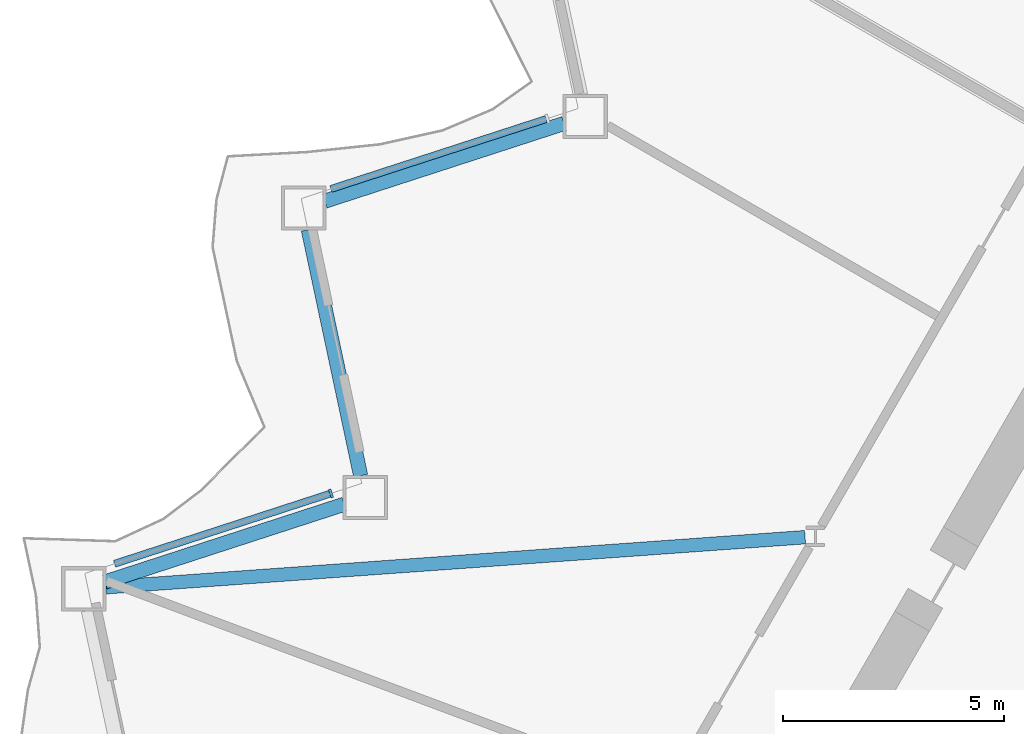
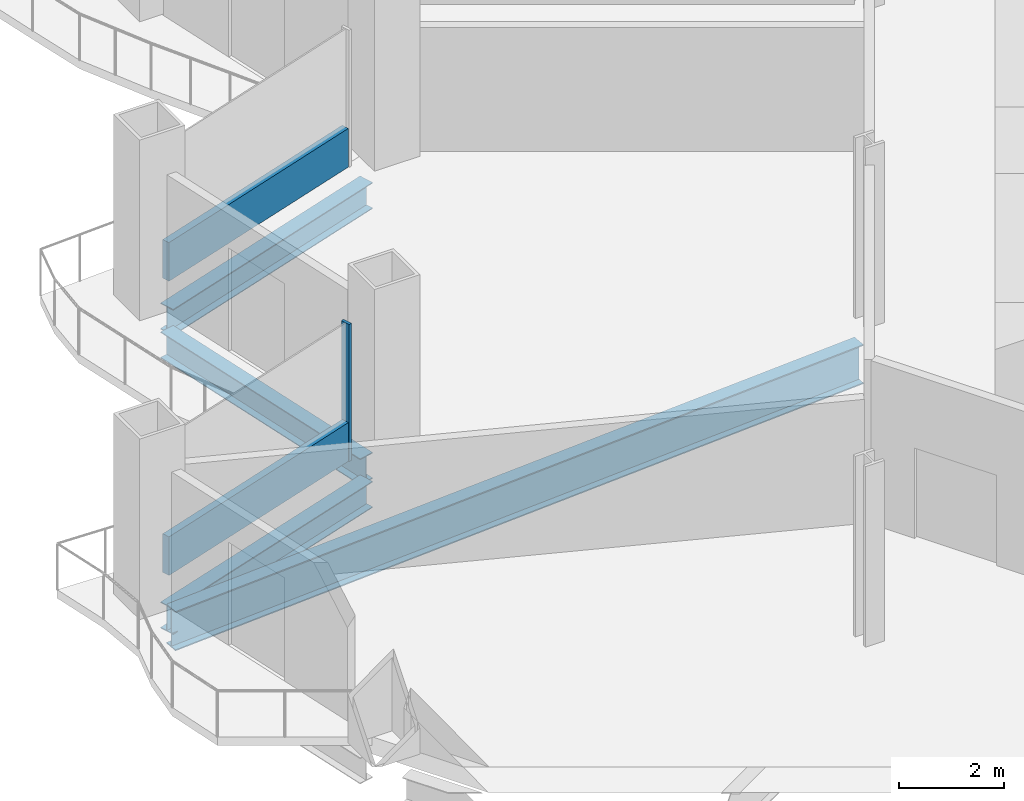
# One storey, part 3 of 20: 4 beams, 3 members, 2 elements without a shape of their own.
"""IFC4 building model written with IfcOpenShell, lengths in metres."""

from ifc_helpers import new_model, si_unit, direction, frame, origin, origin_2d, place, context, subcontext, project, spatial, rectangle, i_section, extrude, material, layer, layer_set, material_profile, profile_set, type_object, element, aggregate, save


model = new_model("IFC4")

# Units and contexts
model_context = context("Model", 3, precision=1e-05, world=origin(), true_north=direction((0.0, 1.0)))
body_context = subcontext(model_context, "Body", "Model", "MODEL_VIEW")
ifc_project = project(units=[si_unit("LENGTHUNIT", "METRE"), si_unit("AREAUNIT", "SQUARE_METRE"), si_unit("VOLUMEUNIT", "CUBIC_METRE"), si_unit("PLANEANGLEUNIT", "RADIAN"), si_unit("MASSUNIT", "GRAM", prefix="KILO")], contexts=[model_context])

# Site, building, storey
site_placement = place(None, origin())
site = spatial("IfcSite", under=ifc_project, at=site_placement, CompositionType="ELEMENT")
building_placement = place(site_placement, origin())
building = spatial("IfcBuilding", under=site, at=building_placement, Name="Cormorant Prow Tower", CompositionType="ELEMENT")
storey_placement = place(building_placement, frame((0.0, 0.0, 59.39990234375)))
storey = spatial("IfcBuildingStorey", under=building, at=storey_placement, Name="L12", CompositionType="ELEMENT", Elevation=59.39990234375)

# Curtain wall, member
ifc_material_1 = material(Name="Aluminium 6063-T6", Category="aluminium")
ifc_layer = layer(ifc_material_1, 0.199951171875)
ifc_layer_set = layer_set([ifc_layer], Name="Aluminium 6063-T6")
curtain_wall_type = type_object("IfcCurtainWallType", Name="Office unitised curtain wall 200", PredefinedType="NOTDEFINED", material=ifc_layer_set)
curtain_wall_1_placement = place(storey_placement, origin())
curtain_wall_1 = element("IfcCurtainWall", 1, at=curtain_wall_1_placement, inside=storey, type_object=curtain_wall_type, Name="Office curtain wall WNW08", PredefinedType="NOTDEFINED")
ifc_material_2 = material(Name="Aluminium 6063-T6", Category="aluminium")
ifc_material_profile_1 = material_profile(ifc_material_2, rectangle(XDim=0.199951171875, YDim=0.06005859375, at=origin_2d()), Name="Office mullion 60x200")
ifc_profile_set_1 = profile_set([ifc_material_profile_1], Name="Aluminium 6063-T6")
member_type_1 = type_object("IfcMemberType", Name="Office mullion 60x200", PredefinedType="MULLION", material=ifc_profile_set_1)
member_1_placement = place(storey_placement, frame((-26.809326171875, -2.082275390625, 0.0), z_axis=(0.0, 0.0, 1.0), x_axis=(0.309016941988, -0.951056533317, 0.0)))
member_1 = element("IfcMember", 2, at=member_1_placement, type_object=member_type_1, Name="Office mullion WNW08", PredefinedType="MULLION", context=body_context, shape_type="SweptSolid", body=[
    extrude(rectangle(XDim=0.199951171875, YDim=0.06005859375, at=origin_2d()), origin(), (0.0, 0.0, 1.0), 3.18896484375),
])

curtain_wall_2_placement = place(storey_placement, origin())
curtain_wall_2 = element("IfcCurtainWall", 3, at=curtain_wall_2_placement, inside=storey, type_object=curtain_wall_type, Name="Office curtain wall WNW06", PredefinedType="NOTDEFINED")
ifc_material_3 = material(Name="Terracotta", Category="masonry")
ifc_material_profile_2 = material_profile(ifc_material_3, rectangle(XDim=0.159912109375, YDim=0.89990234375, at=origin_2d()), Name="Office terracotta spandrel rail 160x900")
ifc_profile_set_2 = profile_set([ifc_material_profile_2], Name="Terracotta")
member_type_2 = type_object("IfcMemberType", Name="Office terracotta spandrel rail 160x900", PredefinedType="USERDEFINED", material=ifc_profile_set_2)
member_2_placement = place(storey_placement, frame((-21.9501953125, 6.374267578125, 0.4501953125), z_axis=(-0.95105863824, -0.309010463625, 0.0), x_axis=(0.309010463625, -0.95105863824, 0.0)))
member_2 = element("IfcMember", 4, at=member_2_placement, type_object=member_type_2, Name="Office spandrel rail WNW06", ObjectType="TRANSOM", PredefinedType="USERDEFINED", context=body_context, shape_type="SweptSolid", body=[
    extrude(rectangle(XDim=0.159912109375, YDim=0.89990234375, at=origin_2d()), origin(), (0.0, 0.0, 1.0), 5.111083984375),
])
aggregate(curtain_wall_2, [member_2])

# Member
member_3_placement = place(storey_placement, frame((-26.837890625, -2.091552734375, 0.4501953125), z_axis=(-0.951049161233, -0.309039630012, 0.0), x_axis=(0.309039630012, -0.951049161233, 0.0)))
member_3 = element("IfcMember", 5, at=member_3_placement, type_object=member_type_2, Name="Office spandrel rail WNW08", ObjectType="TRANSOM", PredefinedType="USERDEFINED", context=body_context, shape_type="SweptSolid", body=[
    extrude(rectangle(XDim=0.159912109375, YDim=0.89990234375, at=origin_2d()), origin(), (0.0, 0.0, 1.0), 5.111328125),
])

aggregate(curtain_wall_1, [member_1, member_3])

# Beams
ifc_material_4 = material(Name="Structural steel ASTM A992 Gr 50", Category="steel")
ifc_material_profile_3 = material_profile(ifc_material_4, i_section(OverallWidth=0.3046875, OverallDepth=0.914794921875, WebThickness=0.0166015625, FlangeThickness=0.02587890625, at=origin_2d()), Name="W36x160")
ifc_profile_set_3 = profile_set([ifc_material_profile_3], Name="Structural steel ASTM A992 Gr 50")
beam_type_1 = type_object("IfcBeamType", Name="Radial floor beam W36x160", PredefinedType="BEAM", material=ifc_profile_set_3)
beam_1_placement = place(storey_placement, frame((-16.099365234375, -3.0703125, -0.857177734375), z_axis=(-0.997443412532, -0.071460750045, 0.0), x_axis=(0.071460750045, -0.997443412532, 0.0)))
element("IfcBeam", 6, at=beam_1_placement, inside=storey, type_object=beam_type_1, Name="Radial floor beam FB1 4 L12", PredefinedType="BEAM", context=body_context, shape_type="SweptSolid", body=[
    extrude(i_section(OverallWidth=0.3046875, OverallDepth=0.914794921875, WebThickness=0.0166015625, FlangeThickness=0.02587890625, at=origin_2d()), origin(), (0.0, 0.0, 1.0), 15.831787109375),
])
ifc_material_5 = material(Name="Structural steel ASTM A992 Gr 50", Category="steel")
ifc_material_profile_4 = material_profile(ifc_material_5, i_section(OverallWidth=0.32373046875, OverallDepth=0.611083984375, WebThickness=0.0126953125, FlangeThickness=0.01904296875, at=origin_2d()), Name="W24x104")
ifc_profile_set_4 = profile_set([ifc_material_profile_4], Name="Structural steel ASTM A992 Gr 50")
beam_type_2 = type_object("IfcBeamType", Name="Spandrel beam W24x104", PredefinedType="SPANDREL", material=ifc_profile_set_4)
beam_2_placement = place(storey_placement, frame((-21.54345703125, 6.274658203125, -0.70556640625), z_axis=(-0.951061849722, -0.309000579292, 0.0), x_axis=(0.309000579292, -0.951061849722, 0.0)))
element("IfcBeam", 7, at=beam_2_placement, inside=storey, type_object=beam_type_2, Name="Spandrel beam SB1 WNW06-WNW07 L12", PredefinedType="SPANDREL", context=body_context, shape_type="SweptSolid", body=[
    extrude(i_section(OverallWidth=0.32373046875, OverallDepth=0.611083984375, WebThickness=0.0126953125, FlangeThickness=0.01904296875, at=origin_2d()), origin(), (0.0, 0.0, 1.0), 5.682373046875),
])
beam_3_placement = place(storey_placement, frame((-27.3193359375, 3.875244140625, -0.70556640625), z_axis=(0.207900376723, -0.97815000555, 0.0), x_axis=(0.97815000555, 0.207900376723, 0.0)))
element("IfcBeam", 8, at=beam_3_placement, inside=storey, type_object=beam_type_2, Name="Spandrel beam SB1 WNW07-WNW08 L12", PredefinedType="SPANDREL", context=body_context, shape_type="SweptSolid", body=[
    extrude(i_section(OverallWidth=0.32373046875, OverallDepth=0.611083984375, WebThickness=0.0126953125, FlangeThickness=0.01904296875, at=origin_2d()), origin(), (0.0, 0.0, 1.0), 5.6826171875),
])
beam_4_placement = place(storey_placement, frame((-26.509521484375, -2.32666015625, -0.70556640625), z_axis=(-0.951049222751, -0.309039440696, 0.0), x_axis=(0.309039440696, -0.951049222751, 0.0)))
element("IfcBeam", 9, at=beam_4_placement, inside=storey, type_object=beam_type_2, Name="Spandrel beam SB1 WNW08-WNW09 L12", PredefinedType="SPANDREL", context=body_context, shape_type="SweptSolid", body=[
    extrude(i_section(OverallWidth=0.32373046875, OverallDepth=0.611083984375, WebThickness=0.0126953125, FlangeThickness=0.01904296875, at=origin_2d()), origin(), (0.0, 0.0, 1.0), 5.682373046875),
])

save(model, "model.ifc")
